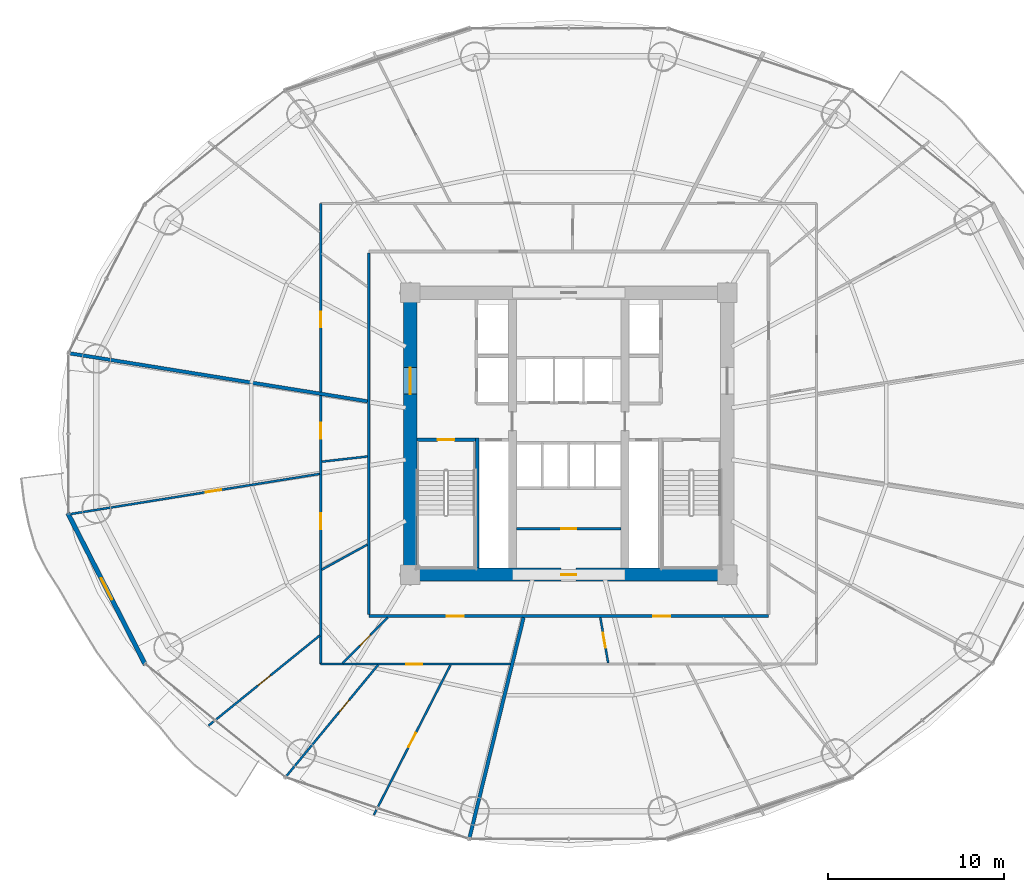
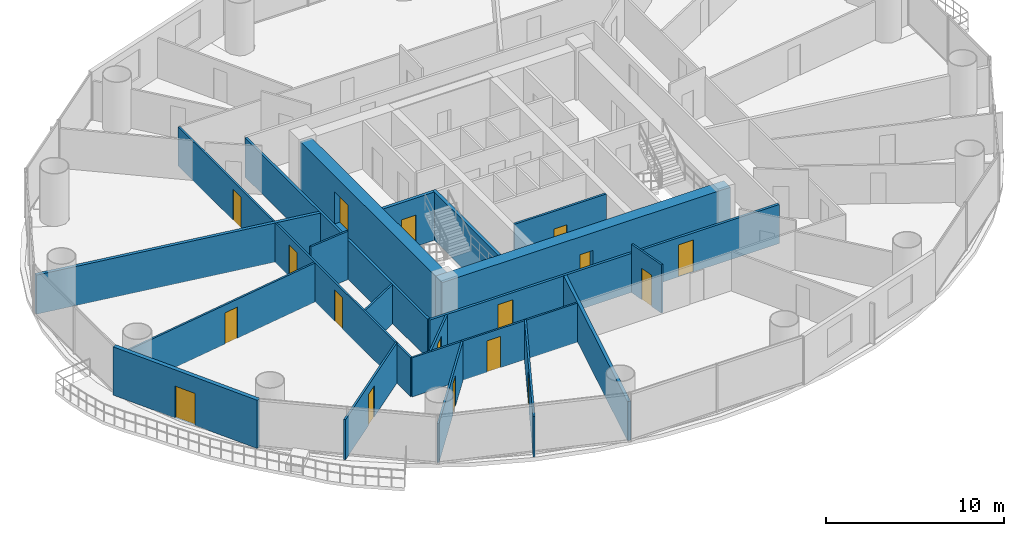
# One storey, part 23 of 30: 21 walls, 17 doors, 17 openings.
"""IFC4 building model written with IfcOpenShell, lengths in metres."""

from ifc_helpers import new_model, si_unit, direction, frame, frame_2d, origin, place, context, subcontext, project, spatial, rectangle, extrude, source, transform, mapped, material, layer, layer_set, type_object, element, fill, save


model = new_model("IFC4")

# Units and contexts
model_context = context("Model", 3, precision=1e-05, world=origin(), true_north=direction((-0.2419218956, 0.970295726276)))
body_context = subcontext(model_context, "Body", "Model", "MODEL_VIEW")
ifc_project = project(units=[si_unit("LENGTHUNIT", "METRE"), si_unit("AREAUNIT", "SQUARE_METRE"), si_unit("VOLUMEUNIT", "CUBIC_METRE"), si_unit("PLANEANGLEUNIT", "RADIAN"), si_unit("MASSUNIT", "GRAM", prefix="KILO")], contexts=[model_context])

# Site, building, storey
site_placement = place(None, origin())
site = spatial("IfcSite", under=ifc_project, at=site_placement, CompositionType="ELEMENT")
building_placement = place(site_placement, origin())
building = spatial("IfcBuilding", under=site, at=building_placement, Name="Cobrevalo Terracotta Tower", CompositionType="ELEMENT")
storey_placement = place(building_placement, frame((0.0, 0.0, 27.60009765625)))
storey = spatial("IfcBuildingStorey", under=building, at=storey_placement, Name="L06", CompositionType="ELEMENT", Elevation=27.60009765625)

# Wall, opening, door
ifc_material_1 = material(Name="Concrete C60", Category="concrete")
ifc_layer_1 = layer(ifc_material_1, 0.75)
ifc_layer_set_1 = layer_set([ifc_layer_1], Name="Concrete C60")
wall_type_1 = type_object("IfcWallType", Name="Core shear wall 750 mm Concrete C60", PredefinedType="SHEAR", material=ifc_layer_set_1)
wall_1_placement = place(storey_placement, frame((28.625, 18.800048828125, 0.0), z_axis=(0.0, 0.0, 1.0), x_axis=(1.0, 0.0, 0.0)))
wall_1 = element("IfcWall", 1, at=wall_1_placement, inside=storey, type_object=wall_type_1, Name="L06 south core shear wall", PredefinedType="SHEAR", context=body_context, shape_type="SweptSolid", body=[
    extrude(rectangle(XDim=18.75, YDim=0.75, at=frame_2d((9.375, 0.0))), origin(), (0.0, 0.0, 1.0), 3.31982421875),
])
opening_1_placement = place(wall_1_placement, frame((8.949951171875, 0.0, 0.0)))
opening_1 = element("IfcOpeningElement", 2, at=opening_1_placement, cuts=wall_1, Name="Opening ID-22", PredefinedType="OPENING", context=body_context, shape_type="SweptSolid", body=[
    extrude(rectangle(XDim=0.85009765625, YDim=2.10009765625, at=frame_2d((0.425048828125, 1.050048828125))), frame((0.0, 0.385009765625, 0.0), z_axis=(0.0, -1.0, 0.0), x_axis=(1.0, 0.0, 0.0)), (0.0, 0.0, 1.0), 0.77001953125),
])
ifc_material_2 = material(Name="Powder-coated steel", Category="steel")
door_type_1 = type_object("IfcDoorType", Name="Riser shaft & meter closet fire access door 850x2100 EI 60", OperationType="NOTDEFINED", PredefinedType="DOOR", material=ifc_material_2)
shared_shape_1 = source(origin(), body_context, "Body", "SweptSolid", [
    extrude(rectangle(XDim=0.85009765625, YDim=2.10009765625, at=frame_2d((0.425048828125, 1.050048828125))), frame((0.0, 0.02490234375, 0.0), z_axis=(0.0, -1.0, 0.0), x_axis=(1.0, 0.0, 0.0)), (0.0, 0.0, 1.0), 0.050048828125),
])
door_1_placement = place(opening_1_placement, origin())
door_1 = element("IfcDoor", 3, at=door_1_placement, inside=storey, type_object=door_type_1, Name="L06 core south plant door Smoke Extract Fan Plant", OperationType="SINGLE_SWING_RIGHT", OverallHeight=2.10009765625, OverallWidth=0.85009765625, PredefinedType="DOOR", context=body_context, shape_type="MappedRepresentation", body=[
    mapped(shared_shape_1, transform((0.0, 0.0, 0.0), scale=1.0)),
])
fill(opening_1, door_1)

wall_2_placement = place(storey_placement, frame((29.0, 19.175048828125, 0.0), z_axis=(0.0, 0.0, 1.0), x_axis=(0.0, 1.0, 0.0)))
wall_2 = element("IfcWall", 4, at=wall_2_placement, inside=storey, type_object=wall_type_1, Name="L06 west core shear wall", PredefinedType="SHEAR", context=body_context, shape_type="SweptSolid", body=[
    extrude(rectangle(XDim=15.25, YDim=0.75, at=frame_2d((7.625, 0.0))), origin(), (0.0, 0.0, 1.0), 3.31982421875),
])
opening_2_placement = place(wall_2_placement, frame((9.875, 0.0, 0.0)))
opening_2 = element("IfcOpeningElement", 5, at=opening_2_placement, cuts=wall_2, Name="Opening ID-14", PredefinedType="OPENING", context=body_context, shape_type="SweptSolid", body=[
    extrude(rectangle(XDim=1.5, YDim=2.199951171875, at=frame_2d((0.75, 1.10009765625))), frame((0.0, 0.385009765625, 0.0), z_axis=(0.0, -1.0, 0.0), x_axis=(1.0, 0.0, 0.0)), (0.0, 0.0, 1.0), 0.77001953125),
])
ifc_material_3 = material(Name="Galvanized fire-rated steel", Category="steel")
door_type_2 = type_object("IfcDoorType", Name="Core cross-lobby double fire door 1500x2200 EI 90", OperationType="NOTDEFINED", PredefinedType="DOOR", material=ifc_material_3)
shared_shape_2 = source(origin(), body_context, "Body", "SweptSolid", [
    extrude(rectangle(XDim=1.5, YDim=2.199951171875, at=frame_2d((0.75, 1.10009765625))), frame((0.0, 0.02490234375, 0.0), z_axis=(0.0, -1.0, 0.0), x_axis=(1.0, 0.0, 0.0)), (0.0, 0.0, 1.0), 0.050048828125),
])
door_2_placement = place(opening_2_placement, origin())
door_2 = element("IfcDoor", 6, at=door_2_placement, inside=storey, type_object=door_type_2, Name="L06 west firefighting lobby entrance door", OperationType="DOUBLE_DOOR_SINGLE_SWING", OverallHeight=2.199951171875, OverallWidth=1.5, PredefinedType="DOOR", context=body_context, shape_type="MappedRepresentation", body=[
    mapped(shared_shape_2, transform((0.0, 0.0, 0.0), scale=1.0)),
])
fill(opening_2, door_2)

# Wall, openings, doors
ifc_material_4 = material(Name="Gypsum board on steel stud", Category="steel")
ifc_layer_2 = layer(ifc_material_4, 0.159912109375)
ifc_layer_set_2 = layer_set([ifc_layer_2], Name="Gypsum board on steel stud")
wall_type_2 = type_object("IfcWallType", Name="Fire-rated corridor acoustic partition wall 160 mm", PredefinedType="PARTITIONING", material=ifc_layer_set_2)
wall_3_placement = place(storey_placement, frame((26.64501953125, 16.445068359375, 0.0), z_axis=(0.0, 0.0, 1.0), x_axis=(1.0, 0.0, 0.0)))
wall_3 = element("IfcWall", 7, at=wall_3_placement, inside=storey, type_object=wall_type_2, Name="L06 interior partition IW-L06-COR-S", PredefinedType="PARTITIONING", context=body_context, shape_type="SweptSolid", body=[
    extrude(rectangle(XDim=22.7099609375, YDim=0.159912109375, at=frame_2d((11.35498046875, 0.0))), origin(), (0.0, 0.0, 1.0), 2.68798828125),
])
opening_3_placement = place(wall_3_placement, frame((4.4208984375, 0.0, 0.0)))
opening_3 = element("IfcOpeningElement", 8, at=opening_3_placement, cuts=wall_3, Name="Opening ID-05", PredefinedType="OPENING", context=body_context, shape_type="SweptSolid", body=[
    extrude(rectangle(XDim=0.97998046875, YDim=2.199951171875, at=frame_2d((0.489990234375, 1.10009765625))), frame((0.0, 0.08984375, 0.0), z_axis=(0.0, -1.0, 0.0), x_axis=(1.0, 0.0, 0.0)), (0.0, 0.0, 1.0), 0.179931640625),
])
opening_4_placement = place(wall_3_placement, frame((16.152587890625, 0.0, 0.0)))
opening_4 = element("IfcOpeningElement", 9, at=opening_4_placement, cuts=wall_3, Name="Opening ID-05", PredefinedType="OPENING", context=body_context, shape_type="SweptSolid", body=[
    extrude(rectangle(XDim=0.97998046875, YDim=2.199951171875, at=frame_2d((0.489990234375, 1.10009765625))), frame((0.0, 0.08984375, 0.0), z_axis=(0.0, -1.0, 0.0), x_axis=(1.0, 0.0, 0.0)), (0.0, 0.0, 1.0), 0.179931640625),
])
ifc_material_5 = material(Name="Solid hardwood timber", Category="wood")
door_type_3 = type_object("IfcDoorType", Name="Residence entrance fire-rated acoustic timber door 980x2200 EI 60", OperationType="NOTDEFINED", PredefinedType="DOOR", material=ifc_material_5)
shared_shape_3 = source(origin(), body_context, "Body", "SweptSolid", [
    extrude(rectangle(XDim=0.97998046875, YDim=2.199951171875, at=frame_2d((0.489990234375, 1.10009765625))), frame((0.0, 0.02490234375, 0.0), z_axis=(0.0, -1.0, 0.0), x_axis=(1.0, 0.0, 0.0)), (0.0, 0.0, 1.0), 0.050048828125),
])
door_3_placement = place(opening_3_placement, frame((0.97998046875, 0.0, 0.0), z_axis=(0.0, 0.0, 1.0), x_axis=(-1.0, 0.0, 0.0)))
door_3 = element("IfcDoor", 10, at=door_3_placement, inside=storey, type_object=door_type_3, Name="Flat L06C fire-rated apartment entrance door", OperationType="SINGLE_SWING_LEFT", OverallHeight=2.199951171875, OverallWidth=0.97998046875, PredefinedType="DOOR", context=body_context, shape_type="MappedRepresentation", body=[
    mapped(shared_shape_3, transform((0.0, 0.0, 0.0), scale=1.0)),
])
fill(opening_3, door_3)
door_4_placement = place(opening_4_placement, frame((0.97998046875, 0.0, 0.0), z_axis=(0.0, 0.0, 1.0), x_axis=(-1.0, 0.0, 0.0)))
door_4 = element("IfcDoor", 11, at=door_4_placement, inside=storey, type_object=door_type_3, Name="Flat L06D fire-rated apartment entrance door", OperationType="SINGLE_SWING_RIGHT", OverallHeight=2.199951171875, OverallWidth=0.97998046875, PredefinedType="DOOR", context=body_context, shape_type="MappedRepresentation", body=[
    mapped(shared_shape_3, transform((0.0, 0.0, 0.0), scale=1.0)),
])
fill(opening_4, door_4)

# Walls
wall_4_placement = place(storey_placement, frame((26.64501953125, 16.52490234375, 0.0), z_axis=(0.0, 0.0, 1.0), x_axis=(0.0, 1.0, 0.0)))
element("IfcWall", 12, at=wall_4_placement, inside=storey, type_object=wall_type_2, Name="L06 interior partition IW-L06-COR-W", PredefinedType="PARTITIONING", context=body_context, shape_type="SweptSolid", body=[
    extrude(rectangle(XDim=20.550048828125, YDim=0.159912109375, at=frame_2d((10.27490234375, 0.0))), origin(), (0.0, 0.0, 1.0), 2.68798828125),
])
ifc_material_6 = material(Name="Autoclaved aerated concrete block", Category="concrete")
ifc_layer_3 = layer(ifc_material_6, 0.199951171875)
ifc_layer_set_3 = layer_set([ifc_layer_3], Name="Autoclaved aerated concrete block")
wall_type_3 = type_object("IfcWallType", Name="Fire-rated stair, shaft & demising masonry wall 200 mm", PredefinedType="PARTITIONING", material=ifc_layer_set_3)
wall_5_placement = place(storey_placement, frame((26.56494140625, 28.64306640625, 0.0), z_axis=(0.0, 0.0, 1.0), x_axis=(-0.987255953651, 0.159140447344, 0.0)))
element("IfcWall", 13, at=wall_5_placement, inside=storey, type_object=wall_type_3, Name="L06 interior partition IW-L06-DEM-3", PredefinedType="PARTITIONING", context=body_context, shape_type="SweptSolid", body=[
    extrude(rectangle(XDim=17.10546875, YDim=0.199951171875, at=frame_2d((8.552734375, 0.0))), origin(), (0.0, 0.0, 1.0), 2.68798828125),
])
wall_6_placement = place(storey_placement, frame((35.4384765625, 16.364990234375, 0.0), z_axis=(0.0, 0.0, 1.0), x_axis=(-0.238380116209, -0.971171931326, 0.0)))
element("IfcWall", 14, at=wall_6_placement, inside=storey, type_object=wall_type_3, Name="L06 interior partition IW-L06-DEM-4", PredefinedType="PARTITIONING", context=body_context, shape_type="SweptSolid", body=[
    extrude(rectangle(XDim=12.876708984375, YDim=0.199951171875, at=frame_2d((6.4384765625, 0.0))), origin(), (0.0, 0.0, 1.0), 2.68798828125),
])

# Wall, opening, door
ifc_layer_4 = layer(ifc_material_6, 0.139892578125)
ifc_layer_set_4 = layer_set([ifc_layer_4], Name="Autoclaved aerated concrete block")
wall_type_4 = type_object("IfcWallType", Name="Moisture-resistant wet-room & core service partition 140 mm", PredefinedType="PARTITIONING", material=ifc_layer_set_4)
wall_7_placement = place(storey_placement, frame((35.02490234375, 21.407470703125, 0.0), z_axis=(0.0, 0.0, 1.0), x_axis=(1.0, 0.0, 0.0)))
wall_7 = element("IfcWall", 15, at=wall_7_placement, inside=storey, type_object=wall_type_4, Name="L06 interior partition IW-L06-KVS-H", PredefinedType="PARTITIONING", context=body_context, shape_type="SweptSolid", body=[
    extrude(rectangle(XDim=5.9501953125, YDim=0.139892578125, at=frame_2d((2.97509765625, 0.0))), origin(), (0.0, 0.0, 1.0), 3.31982421875),
])
opening_5_placement = place(wall_7_placement, frame((2.550048828125, 0.0, 0.0)))
opening_5 = element("IfcOpeningElement", 16, at=opening_5_placement, cuts=wall_7, Name="Opening ID-22", PredefinedType="OPENING", context=body_context, shape_type="SweptSolid", body=[
    extrude(rectangle(XDim=0.85009765625, YDim=2.10009765625, at=frame_2d((0.425048828125, 1.050048828125))), frame((0.0, 0.080078125, 0.0), z_axis=(0.0, -1.0, 0.0), x_axis=(1.0, 0.0, 0.0)), (0.0, 0.0, 1.0), 0.159912109375),
])
door_5_placement = place(opening_5_placement, origin())
door_5 = element("IfcDoor", 17, at=door_5_placement, inside=storey, type_object=door_type_1, Name="L06 core manifold inner door", OperationType="SINGLE_SWING_LEFT", OverallHeight=2.10009765625, OverallWidth=0.85009765625, PredefinedType="DOOR", context=body_context, shape_type="MappedRepresentation", body=[
    mapped(shared_shape_1, transform((0.0, 0.0, 0.0), scale=1.0)),
])
fill(opening_5, door_5)

ifc_layer_5 = layer(ifc_material_6, 0.260009765625)
ifc_layer_set_5 = layer_set([ifc_layer_5], Name="Autoclaved aerated concrete block")
wall_type_5 = type_object("IfcWallType", Name="Recessed balcony loggia insulated exterior wall 260 mm", PredefinedType="SOLIDWALL", material=ifc_layer_set_5)
wall_8_placement = place(storey_placement, frame((9.55029296875, 22.29248046875, 0.0), z_axis=(0.0, 0.0, 1.0), x_axis=(0.455220575541, -0.890378698984, 0.0)))
wall_8 = element("IfcWall", 18, at=wall_8_placement, inside=storey, type_object=wall_type_5, Name="L06 balcony loggia wall S09", PredefinedType="SOLIDWALL", context=body_context, shape_type="SweptSolid", body=[
    extrude(rectangle(XDim=9.662109375, YDim=0.260009765625, at=frame_2d((4.8310546875, 0.0))), origin(), (0.0, 0.0, 1.0), 3.31982421875),
])
opening_6_placement = place(wall_8_placement, frame((4.156005859375, 0.0, 0.0)))
opening_6 = element("IfcOpeningElement", 19, at=opening_6_placement, cuts=wall_8, Name="Opening ED-05", PredefinedType="OPENING", context=body_context, shape_type="SweptSolid", body=[
    extrude(rectangle(XDim=1.35009765625, YDim=2.199951171875, at=frame_2d((0.675048828125, 1.10009765625))), frame((0.0, 0.14013671875, 0.0), z_axis=(0.0, -1.0, 0.0), x_axis=(1.0, 0.0, 0.0)), (0.0, 0.0, 1.0), 0.280029296875),
])
ifc_material_7 = material(Name="Anodized aluminium and laminated glass", Category="aluminium")
door_type_4 = type_object("IfcDoorType", Name="Suite balcony acoustic glazed terrace door 1350x2200", OperationType="NOTDEFINED", PredefinedType="DOOR", material=ifc_material_7)
shared_shape_4 = source(origin(), body_context, "Body", "SweptSolid", [
    extrude(rectangle(XDim=1.35009765625, YDim=2.199951171875, at=frame_2d((0.675048828125, 1.10009765625))), frame((0.0, 0.02490234375, 0.0), z_axis=(0.0, -1.0, 0.0), x_axis=(1.0, 0.0, 0.0)), (0.0, 0.0, 1.0), 0.050048828125),
])
door_6_placement = place(opening_6_placement, frame((1.35009765625, 0.0, 0.0), z_axis=(0.0, 0.0, 1.0), x_axis=(-1.0, 0.0, 0.0)))
door_6 = element("IfcDoor", 20, at=door_6_placement, inside=storey, type_object=door_type_4, Name="L06 glazed balcony terrace door 2", OperationType="SINGLE_SWING_RIGHT", OverallHeight=2.199951171875, OverallWidth=1.35009765625, PredefinedType="DOOR", context=body_context, shape_type="MappedRepresentation", body=[
    mapped(shared_shape_4, transform((0.0, 0.0, 0.0), scale=1.0)),
])
fill(opening_6, door_6)

ifc_layer_6 = layer(ifc_material_4, 0.1201171875)
ifc_layer_set_6 = layer_set([ifc_layer_6], Name="Gypsum board on steel stud")
wall_type_6 = type_object("IfcWallType", Name="Residential internal acoustic stud partition 120 mm", PredefinedType="PARTITIONING", material=ifc_layer_set_6)
wall_9_placement = place(storey_placement, frame((23.9150390625, 29.17236328125, 0.0), z_axis=(0.0, 0.0, 1.0), x_axis=(0.0, 1.0, 0.0)))
wall_9 = element("IfcWall", 21, at=wall_9_placement, inside=storey, type_object=wall_type_6, Name="L06 interior partition IW-L06-U2-RING0_0", PredefinedType="PARTITIONING", context=body_context, shape_type="SweptSolid", body=[
    extrude(rectangle(XDim=10.712646484375, YDim=0.1201171875, at=frame_2d((5.3564453125, 0.0))), origin(), (0.0, 0.0, 1.0), 2.68798828125),
])
opening_7_placement = place(wall_9_placement, frame((3.666259765625, 0.0, 0.0)))
opening_7 = element("IfcOpeningElement", 22, at=opening_7_placement, cuts=wall_9, Name="Opening ID-12", PredefinedType="OPENING", context=body_context, shape_type="SweptSolid", body=[
    extrude(rectangle(XDim=0.89990234375, YDim=2.14990234375, at=frame_2d((0.449951171875, 1.074951171875))), frame((0.0, 0.070068359375, 0.0), z_axis=(0.0, -1.0, 0.0), x_axis=(1.0, 0.0, 0.0)), (0.0, 0.0, 1.0), 0.14013671875),
])
ifc_material_8 = material(Name="Engineered timber", Category="wood")
door_type_5 = type_object("IfcDoorType", Name="Internal residence & suite timber door 900x2150", OperationType="NOTDEFINED", PredefinedType="DOOR", material=ifc_material_8)
shared_shape_5 = source(origin(), body_context, "Body", "SweptSolid", [
    extrude(rectangle(XDim=0.89990234375, YDim=2.14990234375, at=frame_2d((0.449951171875, 1.074951171875))), frame((0.0, 0.02490234375, 0.0), z_axis=(0.0, -1.0, 0.0), x_axis=(1.0, 0.0, 0.0)), (0.0, 0.0, 1.0), 0.050048828125),
])
door_7_placement = place(opening_7_placement, origin())
door_7 = element("IfcDoor", 23, at=door_7_placement, inside=storey, type_object=door_type_5, Name="Flat L06B Penthouse Family Lounge internal door", OperationType="SINGLE_SWING_RIGHT", OverallHeight=2.14990234375, OverallWidth=0.89990234375, PredefinedType="DOOR", context=body_context, shape_type="MappedRepresentation", body=[
    mapped(shared_shape_5, transform((0.0, 0.0, 0.0), scale=1.0)),
])
fill(opening_7, door_7)

wall_10_placement = place(storey_placement, frame((34.68603515625, 13.715087890625, 0.0), z_axis=(0.0, 0.0, 1.0), x_axis=(-1.0, 0.0, 0.0)))
wall_10 = element("IfcWall", 24, at=wall_10_placement, inside=storey, type_object=wall_type_6, Name="L06 interior partition IW-L06-U3-RING0_0", PredefinedType="PARTITIONING", context=body_context, shape_type="SweptSolid", body=[
    extrude(rectangle(XDim=10.77099609375, YDim=0.1201171875, at=frame_2d((5.385498046875, 0.0))), origin(), (0.0, 0.0, 1.0), 2.68798828125),
])
opening_8_placement = place(wall_10_placement, frame((5.010498046875, 0.0, 0.0)))
opening_8 = element("IfcOpeningElement", 25, at=opening_8_placement, cuts=wall_10, Name="Opening ID-12", PredefinedType="OPENING", context=body_context, shape_type="SweptSolid", body=[
    extrude(rectangle(XDim=0.89990234375, YDim=2.14990234375, at=frame_2d((0.449951171875, 1.074951171875))), frame((0.0, 0.070068359375, 0.0), z_axis=(0.0, -1.0, 0.0), x_axis=(1.0, 0.0, 0.0)), (0.0, 0.0, 1.0), 0.14013671875),
])
door_8_placement = place(opening_8_placement, origin())
door_8 = element("IfcDoor", 26, at=door_8_placement, inside=storey, type_object=door_type_5, Name="Flat L06C Penthouse Family Lounge internal door", OperationType="SINGLE_SWING_LEFT", OverallHeight=2.14990234375, OverallWidth=0.89990234375, PredefinedType="DOOR", context=body_context, shape_type="MappedRepresentation", body=[
    mapped(shared_shape_5, transform((0.0, 0.0, 0.0), scale=1.0)),
])
fill(opening_8, door_8)

# Wall, openings, doors
wall_11_placement = place(storey_placement, frame((23.9150390625, 13.715087890625, 0.0), z_axis=(0.0, 0.0, 1.0), x_axis=(0.0, 1.0, 0.0)))
wall_11 = element("IfcWall", 27, at=wall_11_placement, inside=storey, type_object=wall_type_6, Name="L06 interior partition IW-L06-U3-RING1_0", PredefinedType="PARTITIONING", context=body_context, shape_type="SweptSolid", body=[
    extrude(rectangle(XDim=15.253173828125, YDim=0.1201171875, at=frame_2d((7.62646484375, 0.0))), origin(), (0.0, 0.0, 1.0), 2.68798828125),
])
opening_9_placement = place(wall_11_placement, frame((7.66259765625, 0.0, 0.0)))
opening_9 = element("IfcOpeningElement", 28, at=opening_9_placement, cuts=wall_11, Name="Opening ID-12", PredefinedType="OPENING", context=body_context, shape_type="SweptSolid", body=[
    extrude(rectangle(XDim=0.89990234375, YDim=2.14990234375, at=frame_2d((0.449951171875, 1.074951171875))), frame((0.0, 0.070068359375, 0.0), z_axis=(0.0, -1.0, 0.0), x_axis=(1.0, 0.0, 0.0)), (0.0, 0.0, 1.0), 0.14013671875),
])
opening_10_placement = place(wall_11_placement, frame((12.80322265625, 0.0, 0.0)))
opening_10 = element("IfcOpeningElement", 29, at=opening_10_placement, cuts=wall_11, Name="Opening ID-12", PredefinedType="OPENING", context=body_context, shape_type="SweptSolid", body=[
    extrude(rectangle(XDim=0.89990234375, YDim=2.14990234375, at=frame_2d((0.449951171875, 1.074951171875))), frame((0.0, 0.070068359375, 0.0), z_axis=(0.0, -1.0, 0.0), x_axis=(1.0, 0.0, 0.0)), (0.0, 0.0, 1.0), 0.14013671875),
])
door_9_placement = place(opening_9_placement, frame((0.89990234375, 0.0, 0.0), z_axis=(0.0, 0.0, 1.0), x_axis=(-1.0, 0.0, 0.0)))
door_9 = element("IfcDoor", 30, at=door_9_placement, inside=storey, type_object=door_type_5, Name="Flat L06C Kitchen internal door", OperationType="SINGLE_SWING_RIGHT", OverallHeight=2.14990234375, OverallWidth=0.89990234375, PredefinedType="DOOR", context=body_context, shape_type="MappedRepresentation", body=[
    mapped(shared_shape_5, transform((0.0, 0.0, 0.0), scale=1.0)),
])
fill(opening_9, door_9)
door_10_placement = place(opening_10_placement, frame((0.89990234375, 0.0, 0.0), z_axis=(0.0, 0.0, 1.0), x_axis=(-1.0, 0.0, 0.0)))
door_10 = element("IfcDoor", 31, at=door_10_placement, inside=storey, type_object=door_type_5, Name="Flat L06C Home Office Study internal door", OperationType="SINGLE_SWING_LEFT", OverallHeight=2.14990234375, OverallWidth=0.89990234375, PredefinedType="DOOR", context=body_context, shape_type="MappedRepresentation", body=[
    mapped(shared_shape_5, transform((0.0, 0.0, 0.0), scale=1.0)),
])
fill(opening_10, door_10)

# Wall, opening, door
wall_12_placement = place(storey_placement, frame((23.853759765625, 24.519775390625, 0.0), z_axis=(0.0, 0.0, 1.0), x_axis=(-0.987258444847, -0.159124991997, 0.0)))
wall_12 = element("IfcWall", 32, at=wall_12_placement, inside=storey, type_object=wall_type_6, Name="L06 interior partition IW-L06-U3-ORAD0L", PredefinedType="PARTITIONING", context=body_context, shape_type="SweptSolid", body=[
    extrude(rectangle(XDim=14.359130859375, YDim=0.1201171875, at=frame_2d((7.1796875, 0.0))), origin(), (0.0, 0.0, 1.0), 2.68798828125),
])
opening_11_placement = place(wall_12_placement, frame((5.658935546875, 0.0, 0.0)))
opening_11 = element("IfcOpeningElement", 33, at=opening_11_placement, cuts=wall_12, Name="Opening ID-12", PredefinedType="OPENING", context=body_context, shape_type="SweptSolid", body=[
    extrude(rectangle(XDim=0.89990234375, YDim=2.14990234375, at=frame_2d((0.449951171875, 1.074951171875))), frame((0.0, 0.070068359375, 0.0), z_axis=(0.0, -1.0, 0.0), x_axis=(1.0, 0.0, 0.0)), (0.0, 0.0, 1.0), 0.14013671875),
])
door_11_placement = place(opening_11_placement, frame((0.89990234375, 0.0, 0.0), z_axis=(0.0, 0.0, 1.0), x_axis=(-1.0, 0.0, 0.0)))
door_11 = element("IfcDoor", 34, at=door_11_placement, inside=storey, type_object=door_type_5, Name="Flat L06C Penthouse Living and Dining Room internal door", OperationType="SINGLE_SWING_LEFT", OverallHeight=2.14990234375, OverallWidth=0.89990234375, PredefinedType="DOOR", context=body_context, shape_type="MappedRepresentation", body=[
    mapped(shared_shape_5, transform((0.0, 0.0, 0.0), scale=1.0)),
])
fill(opening_11, door_11)

wall_13_placement = place(storey_placement, frame((23.866943359375, 15.34716796875, 0.0), z_axis=(0.0, 0.0, 1.0), x_axis=(-0.776936623447, -0.629578814087, 0.0)))
wall_13 = element("IfcWall", 35, at=wall_13_placement, inside=storey, type_object=wall_type_6, Name="L06 interior partition IW-L06-U3-ORAD1", PredefinedType="PARTITIONING", context=body_context, shape_type="SweptSolid", body=[
    extrude(rectangle(XDim=8.136474609375, YDim=0.1201171875, at=frame_2d((4.068359375, 0.0))), origin(), (0.0, 0.0, 1.0), 2.761962890625),
])
opening_12_placement = place(wall_13_placement, frame((3.618408203125, 0.0, 0.0)))
opening_12 = element("IfcOpeningElement", 36, at=opening_12_placement, cuts=wall_13, Name="Opening ID-12", PredefinedType="OPENING", context=body_context, shape_type="SweptSolid", body=[
    extrude(rectangle(XDim=0.89990234375, YDim=2.14990234375, at=frame_2d((0.449951171875, 1.074951171875))), frame((0.0, 0.070068359375, 0.0), z_axis=(0.0, -1.0, 0.0), x_axis=(1.0, 0.0, 0.0)), (0.0, 0.0, 1.0), 0.14013671875),
])
door_12_placement = place(opening_12_placement, frame((0.89990234375, 0.0, 0.0), z_axis=(0.0, 0.0, 1.0), x_axis=(-1.0, 0.0, 0.0)))
door_12 = element("IfcDoor", 37, at=door_12_placement, inside=storey, type_object=door_type_5, Name="Flat L06C Private Cinema Room internal door", OperationType="SINGLE_SWING_RIGHT", OverallHeight=2.14990234375, OverallWidth=0.89990234375, PredefinedType="DOOR", context=body_context, shape_type="MappedRepresentation", body=[
    mapped(shared_shape_5, transform((0.0, 0.0, 0.0), scale=1.0)),
])
fill(opening_12, door_12)

wall_14_placement = place(storey_placement, frame((27.171142578125, 13.667236328125, 0.0), z_axis=(0.0, 0.0, 1.0), x_axis=(-0.636177533893, -0.771542704826, 0.0)))
wall_14 = element("IfcWall", 38, at=wall_14_placement, inside=storey, type_object=wall_type_6, Name="L06 interior partition IW-L06-U3-ORAD2M1", PredefinedType="PARTITIONING", context=body_context, shape_type="SweptSolid", body=[
    extrude(rectangle(XDim=8.1865234375, YDim=0.1201171875, at=frame_2d((4.09326171875, 0.0))), origin(), (0.0, 0.0, 1.0), 2.68798828125),
])
opening_13_placement = place(wall_14_placement, frame((2.579345703125, 0.0, 0.0)))
opening_13 = element("IfcOpeningElement", 39, at=opening_13_placement, cuts=wall_14, Name="Opening ID-12", PredefinedType="OPENING", context=body_context, shape_type="SweptSolid", body=[
    extrude(rectangle(XDim=0.89990234375, YDim=2.14990234375, at=frame_2d((0.449951171875, 1.074951171875))), frame((0.0, 0.070068359375, 0.0), z_axis=(0.0, -1.0, 0.0), x_axis=(1.0, 0.0, 0.0)), (0.0, 0.0, 1.0), 0.14013671875),
])
door_13_placement = place(opening_13_placement, frame((0.89990234375, 0.0, 0.0), z_axis=(0.0, 0.0, 1.0), x_axis=(-1.0, 0.0, 0.0)))
door_13 = element("IfcDoor", 40, at=door_13_placement, inside=storey, type_object=door_type_5, Name="Flat L06C Master Bedroom internal door", OperationType="SINGLE_SWING_LEFT", OverallHeight=2.14990234375, OverallWidth=0.89990234375, PredefinedType="DOOR", context=body_context, shape_type="MappedRepresentation", body=[
    mapped(shared_shape_5, transform((0.0, 0.0, 0.0), scale=1.0)),
])
fill(opening_13, door_13)

wall_15_placement = place(storey_placement, frame((31.283203125, 13.65966796875, 0.0), z_axis=(0.0, 0.0, 1.0), x_axis=(-0.455131303234, -0.890424335256, 0.0)))
wall_15 = element("IfcWall", 41, at=wall_15_placement, inside=storey, type_object=wall_type_6, Name="L06 interior partition IW-L06-U3-ORAD2M2", PredefinedType="PARTITIONING", context=body_context, shape_type="SweptSolid", body=[
    extrude(rectangle(XDim=9.562255859375, YDim=0.1201171875, at=frame_2d((4.78125, 0.0))), origin(), (0.0, 0.0, 1.0), 2.761962890625),
])
opening_14_placement = place(wall_15_placement, frame((4.3310546875, 0.0, 0.0)))
opening_14 = element("IfcOpeningElement", 42, at=opening_14_placement, cuts=wall_15, Name="Opening ID-12", PredefinedType="OPENING", context=body_context, shape_type="SweptSolid", body=[
    extrude(rectangle(XDim=0.89990234375, YDim=2.14990234375, at=frame_2d((0.449951171875, 1.074951171875))), frame((0.0, 0.070068359375, 0.0), z_axis=(0.0, -1.0, 0.0), x_axis=(1.0, 0.0, 0.0)), (0.0, 0.0, 1.0), 0.14013671875),
])
door_14_placement = place(opening_14_placement, origin())
door_14 = element("IfcDoor", 43, at=door_14_placement, inside=storey, type_object=door_type_5, Name="Flat L06C Penthouse Family Lounge internal door", OperationType="SINGLE_SWING_RIGHT", OverallHeight=2.14990234375, OverallWidth=0.89990234375, PredefinedType="DOOR", context=body_context, shape_type="MappedRepresentation", body=[
    mapped(shared_shape_5, transform((0.0, 0.0, 0.0), scale=1.0)),
])
fill(opening_14, door_14)

# Walls
wall_16_placement = place(storey_placement, frame((26.56494140625, 25.50732421875, 0.0), z_axis=(0.0, 0.0, 1.0), x_axis=(-0.993676271227, -0.112282981789, 0.0)))
element("IfcWall", 44, at=wall_16_placement, inside=storey, type_object=wall_type_6, Name="L06 interior partition IW-L06-U3-IRAD1", PredefinedType="PARTITIONING", context=body_context, shape_type="SweptSolid", body=[
    extrude(rectangle(XDim=2.604736328125, YDim=0.1201171875, at=frame_2d((1.30224609375, 0.0))), origin(), (0.0, 0.0, 1.0), 3.31982421875),
])
wall_17_placement = place(storey_placement, frame((26.56494140625, 20.504638671875, 0.0), z_axis=(0.0, 0.0, 1.0), x_axis=(-0.876027961584, -0.482260314066, 0.0)))
element("IfcWall", 45, at=wall_17_placement, inside=storey, type_object=wall_type_6, Name="L06 interior partition IW-L06-U3-IRAD2", PredefinedType="PARTITIONING", context=body_context, shape_type="SweptSolid", body=[
    extrude(rectangle(XDim=2.963134765625, YDim=0.1201171875, at=frame_2d((1.4814453125, 0.0))), origin(), (0.0, 0.0, 1.0), 2.68798828125),
])

# Wall, opening, door
wall_18_placement = place(storey_placement, frame((27.71923828125, 16.364990234375, 0.0), z_axis=(0.0, 0.0, 1.0), x_axis=(-0.701848204267, -0.712326539002, 0.0)))
wall_18 = element("IfcWall", 46, at=wall_18_placement, inside=storey, type_object=wall_type_6, Name="L06 interior partition IW-L06-U3-IRAD3", PredefinedType="PARTITIONING", context=body_context, shape_type="SweptSolid", body=[
    extrude(rectangle(XDim=3.657958984375, YDim=0.1201171875, at=frame_2d((1.8291015625, 0.0))), origin(), (0.0, 0.0, 1.0), 2.68798828125),
])
opening_15_placement = place(wall_18_placement, frame((1.39892578125, 0.0, 0.0)))
opening_15 = element("IfcOpeningElement", 47, at=opening_15_placement, cuts=wall_18, Name="Opening ID-19", PredefinedType="OPENING", context=body_context, shape_type="SweptSolid", body=[
    extrude(rectangle(XDim=0.860107421875, YDim=2.14990234375, at=frame_2d((0.43017578125, 1.074951171875))), frame((0.0, 0.070068359375, 0.0), z_axis=(0.0, -1.0, 0.0), x_axis=(1.0, 0.0, 0.0)), (0.0, 0.0, 1.0), 0.14013671875),
])
ifc_material_9 = material(Name="Moisture-sealed timber", Category="wood")
door_type_6 = type_object("IfcDoorType", Name="Suite bathroom internal timber door 860x2150", OperationType="NOTDEFINED", PredefinedType="DOOR", material=ifc_material_9)
shared_shape_6 = source(origin(), body_context, "Body", "SweptSolid", [
    extrude(rectangle(XDim=0.860107421875, YDim=2.14990234375, at=frame_2d((0.43017578125, 1.074951171875))), frame((0.0, 0.02490234375, 0.0), z_axis=(0.0, -1.0, 0.0), x_axis=(1.0, 0.0, 0.0)), (0.0, 0.0, 1.0), 0.050048828125),
])
door_15_placement = place(opening_15_placement, frame((0.860107421875, 0.0, 0.0), z_axis=(0.0, 0.0, 1.0), x_axis=(-1.0, 0.0, 0.0)))
door_15 = element("IfcDoor", 48, at=door_15_placement, inside=storey, type_object=door_type_6, Name="Flat L06C Primary Bathroom internal door", OperationType="SINGLE_SWING_RIGHT", OverallHeight=2.14990234375, OverallWidth=0.860107421875, PredefinedType="DOOR", context=body_context, shape_type="MappedRepresentation", body=[
    mapped(shared_shape_6, transform((0.0, 0.0, 0.0), scale=1.0)),
])
fill(opening_15, door_15)

wall_19_placement = place(storey_placement, frame((39.79638671875, 16.364990234375, 0.0), z_axis=(0.0, 0.0, 1.0), x_axis=(0.169611246875, -0.985511047596, 0.0)))
wall_19 = element("IfcWall", 49, at=wall_19_placement, inside=storey, type_object=wall_type_6, Name="L06 interior partition IW-L06-U4-IRAD1", PredefinedType="PARTITIONING", context=body_context, shape_type="SweptSolid", body=[
    extrude(rectangle(XDim=2.626953125, YDim=0.1201171875, at=frame_2d((1.3134765625, 0.0))), origin(), (0.0, 0.0, 1.0), 3.31982421875),
])
opening_16_placement = place(wall_19_placement, frame((0.883544921875, 0.0, 0.0)))
opening_16 = element("IfcOpeningElement", 50, at=opening_16_placement, cuts=wall_19, Name="Opening ID-19", PredefinedType="OPENING", context=body_context, shape_type="SweptSolid", body=[
    extrude(rectangle(XDim=0.860107421875, YDim=2.14990234375, at=frame_2d((0.43017578125, 1.074951171875))), frame((0.0, 0.070068359375, 0.0), z_axis=(0.0, -1.0, 0.0), x_axis=(1.0, 0.0, 0.0)), (0.0, 0.0, 1.0), 0.14013671875),
])
door_16_placement = place(opening_16_placement, frame((0.860107421875, 0.0, 0.0), z_axis=(0.0, 0.0, 1.0), x_axis=(-1.0, 0.0, 0.0)))
door_16 = element("IfcDoor", 51, at=door_16_placement, inside=storey, type_object=door_type_6, Name="Flat L06D Primary Bathroom internal door", OperationType="SINGLE_SWING_LEFT", OverallHeight=2.14990234375, OverallWidth=0.860107421875, PredefinedType="DOOR", context=body_context, shape_type="MappedRepresentation", body=[
    mapped(shared_shape_6, transform((0.0, 0.0, 0.0), scale=1.0)),
])
fill(opening_16, door_16)

# Wall
ifc_material_10 = material(Name="Concrete C50", Category="concrete")
ifc_layer_7 = layer(ifc_material_10, 0.199951171875)
ifc_layer_set_7 = layer_set([ifc_layer_7], Name="Concrete C50")
wall_type_7 = type_object("IfcWallType", Name="Structural core & podium stair-shaft RC wall 200 mm Concrete C50", PredefinedType="SOLIDWALL", material=ifc_layer_set_7)
wall_20_placement = place(storey_placement, frame((32.794921875, 19.175048828125, 0.0), z_axis=(0.0, 0.0, 1.0), x_axis=(0.0, 1.0, 0.0)))
element("IfcWall", 52, at=wall_20_placement, inside=storey, type_object=wall_type_7, Name="L06 ST-1 east structural shaft wall", PredefinedType="SOLIDWALL", context=body_context, shape_type="SweptSolid", body=[
    extrude(rectangle(XDim=7.375, YDim=0.199951171875, at=frame_2d((3.6875, 0.0))), origin(), (0.0, 0.0, 1.0), 3.31982421875),
])

# Wall, opening, door
wall_21_placement = place(storey_placement, frame((29.375, 26.449951171875, 0.0), z_axis=(0.0, 0.0, 1.0), x_axis=(1.0, 0.0, 0.0)))
wall_21 = element("IfcWall", 53, at=wall_21_placement, inside=storey, type_object=wall_type_7, Name="L06 ST-1 north structural shaft wall", PredefinedType="SOLIDWALL", context=body_context, shape_type="SweptSolid", body=[
    extrude(rectangle(XDim=3.320068359375, YDim=0.199951171875, at=frame_2d((1.66015625, 0.0))), origin(), (0.0, 0.0, 1.0), 3.31982421875),
])
opening_17_placement = place(wall_21_placement, frame((1.18505859375, 0.0, 0.0)))
opening_17 = element("IfcOpeningElement", 54, at=opening_17_placement, cuts=wall_21, Name="Opening ID-04", PredefinedType="OPENING", context=body_context, shape_type="SweptSolid", body=[
    extrude(rectangle(XDim=0.949951171875, YDim=2.14990234375, at=frame_2d((0.47509765625, 1.074951171875))), frame((0.0, 0.10986328125, 0.0), z_axis=(0.0, -1.0, 0.0), x_axis=(1.0, 0.0, 0.0)), (0.0, 0.0, 1.0), 0.219970703125),
])
door_type_7 = type_object("IfcDoorType", Name="Stair & firefighting lobby fire door 950x2150 EI 90", OperationType="NOTDEFINED", PredefinedType="DOOR", material=ifc_material_3)
shared_shape_7 = source(origin(), body_context, "Body", "SweptSolid", [
    extrude(rectangle(XDim=0.949951171875, YDim=2.14990234375, at=frame_2d((0.47509765625, 1.074951171875))), frame((0.0, 0.02490234375, 0.0), z_axis=(0.0, -1.0, 0.0), x_axis=(1.0, 0.0, 0.0)), (0.0, 0.0, 1.0), 0.050048828125),
])
door_17_placement = place(opening_17_placement, origin())
door_17 = element("IfcDoor", 55, at=door_17_placement, inside=storey, type_object=door_type_7, Name="L06 protected stair ST1 fire door", OperationType="SINGLE_SWING_LEFT", OverallHeight=2.14990234375, OverallWidth=0.949951171875, PredefinedType="DOOR", context=body_context, shape_type="MappedRepresentation", body=[
    mapped(shared_shape_7, transform((0.0, 0.0, 0.0), scale=1.0)),
])
fill(opening_17, door_17)

save(model, "model.ifc")
